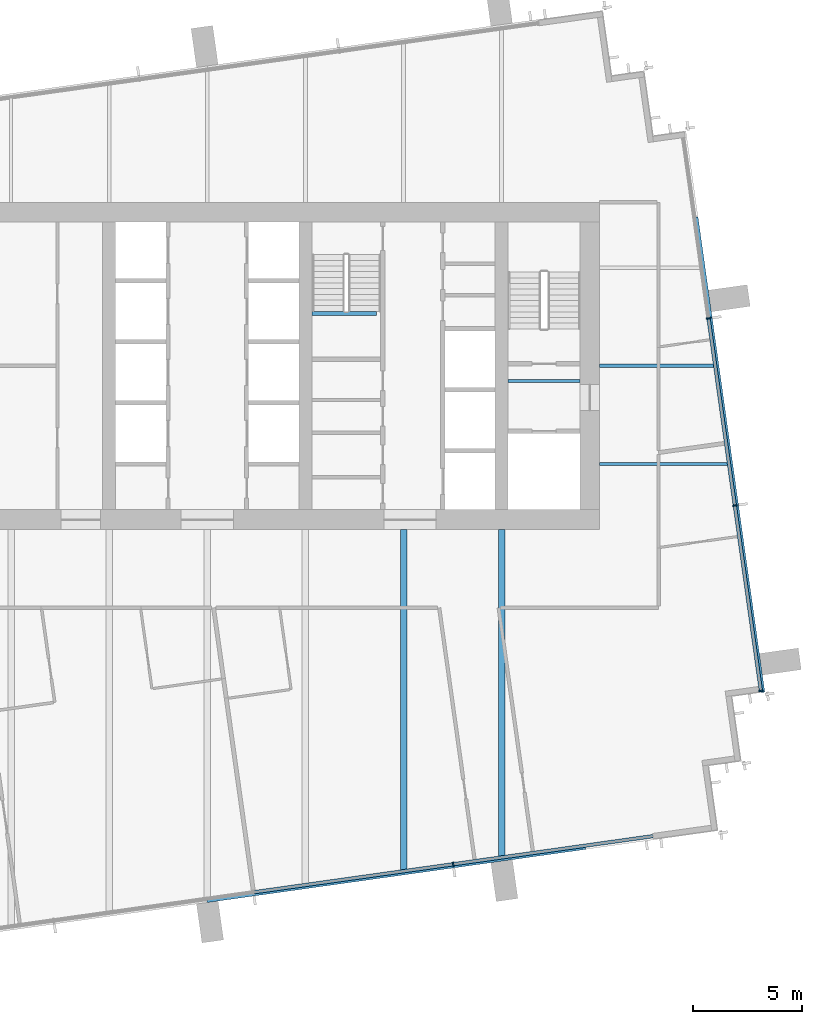
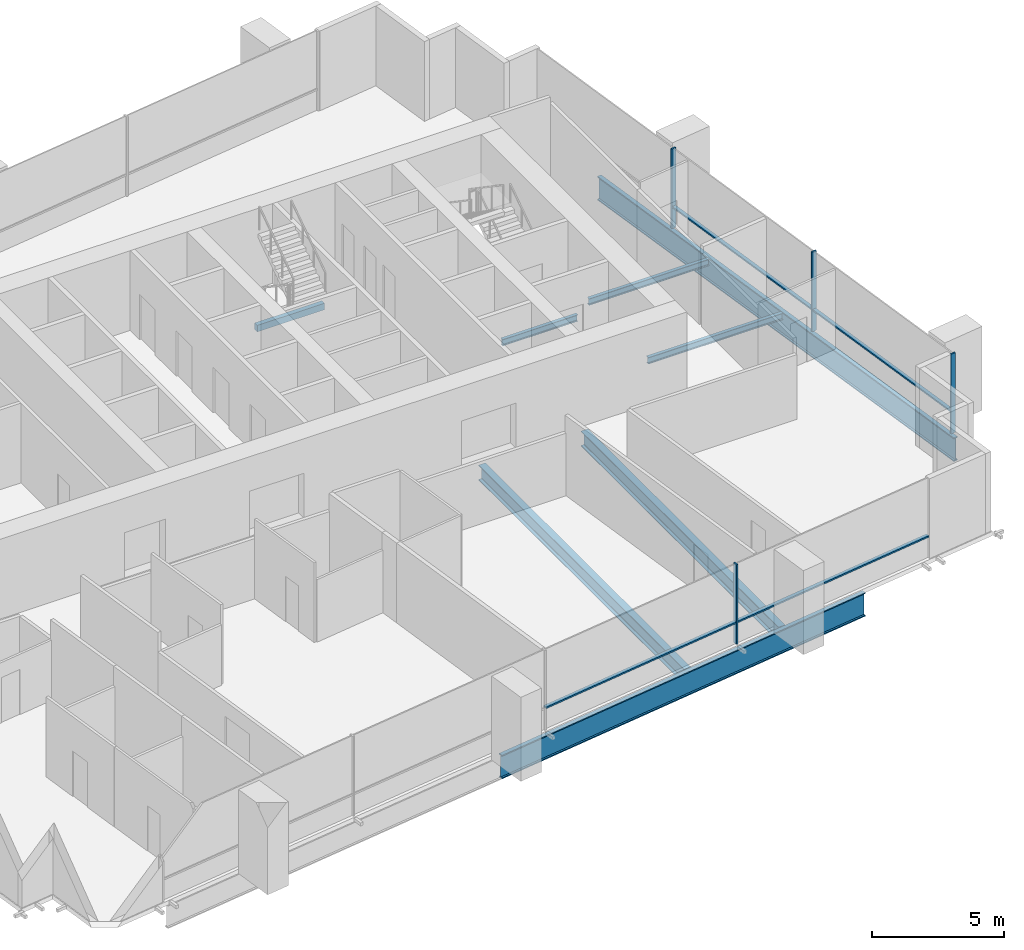
# One storey, part 4 of 12: 8 beams, 8 members, 2 elements without a shape of their own.
"""IFC4 building model written with IfcOpenShell, lengths in metres."""

from ifc_helpers import new_model, si_unit, direction, frame, origin, origin_2d, place, context, subcontext, project, spatial, rectangle, i_section, extrude, material, layer, layer_set, material_profile, profile_set, type_object, element, aggregate, save


model = new_model("IFC4")

# Units and contexts
model_context = context("Model", 3, precision=1e-05, world=origin(), true_north=direction((0.0, 1.0)))
body_context = subcontext(model_context, "Body", "Model", "MODEL_VIEW")
ifc_project = project(units=[si_unit("LENGTHUNIT", "METRE"), si_unit("AREAUNIT", "SQUARE_METRE"), si_unit("VOLUMEUNIT", "CUBIC_METRE"), si_unit("PLANEANGLEUNIT", "RADIAN"), si_unit("MASSUNIT", "GRAM", prefix="KILO")], contexts=[model_context])

# Site, building, storey
site_placement = place(None, origin())
site = spatial("IfcSite", under=ifc_project, at=site_placement, CompositionType="ELEMENT")
building_placement = place(site_placement, origin())
building = spatial("IfcBuilding", under=site, at=building_placement, Name="Rattan Terrace Tower", CompositionType="ELEMENT")
storey_placement = place(building_placement, frame((0.0, 0.0, 270.699951171875)))
storey = spatial("IfcBuildingStorey", under=building, at=storey_placement, Name="L62", CompositionType="ELEMENT", Elevation=270.699951171875)

# Beams
ifc_material_1 = material(Name="Concrete C40/50", Category="concrete")
ifc_material_profile_1 = material_profile(ifc_material_1, rectangle(XDim=0.199951171875, YDim=0.300048828125, at=origin_2d()), Name="RC 200x300")
ifc_profile_set_1 = profile_set([ifc_material_profile_1], Name="Concrete C40/50")
beam_type_1 = type_object("IfcBeamType", Name="Core landing beam RC 200x300", PredefinedType="BEAM", material=ifc_profile_set_1)
beam_1_placement = place(storey_placement, frame((4.800048828125, 2.39990234375, 1.60009765625), z_axis=(1.0, 0.0, 0.0), x_axis=(0.0, 1.0, 0.0)))
element("IfcBeam", 1, at=beam_1_placement, inside=storey, type_object=beam_type_1, Name="st-S3-L62 landing 1 edge beam", PredefinedType="BEAM", context=body_context, shape_type="SweptSolid", body=[
    extrude(rectangle(XDim=0.199951171875, YDim=0.300048828125, at=origin_2d()), origin(), (0.0, 0.0, 1.0), 2.949951171875),
])
ifc_material_2 = material(Name="Steel S460", Category="steel")
ifc_material_profile_2 = material_profile(ifc_material_2, i_section(OverallWidth=0.179931640625, OverallDepth=1.10009765625, WebThickness=0.01611328125, FlangeThickness=0.050048828125, at=origin_2d()), Name="PG 1100x180-16-50")
ifc_profile_set_2 = profile_set([ifc_material_profile_2], Name="Steel S460")
beam_type_2 = type_object("IfcBeamType", Name="Frame edge girder PG 1100x180-16-50", PredefinedType="SPANDREL", material=ifc_profile_set_2)
beam_2_placement = place(storey_placement, frame((17.347900390625, -22.087890625, -0.75), z_axis=(-0.990265878298, -0.139188685889, 0.0), x_axis=(0.139188685889, -0.990265878298, 0.0)))
element("IfcBeam", 2, at=beam_2_placement, inside=storey, type_object=beam_type_2, Name="gdr-L62-002", PredefinedType="SPANDREL", context=body_context, shape_type="SweptSolid", body=[
    extrude(i_section(OverallWidth=0.179931640625, OverallDepth=1.10009765625, WebThickness=0.01611328125, FlangeThickness=0.050048828125, at=origin_2d()), origin(), (0.0, 0.0, 1.0), 17.531494140625),
])
beam_3_placement = place(storey_placement, frame((22.4189453125, 6.822998046875, -0.75), z_axis=(0.139180574959, -0.990267018311, 0.0), x_axis=(0.990267018311, 0.139180574959, 0.0)))
element("IfcBeam", 3, at=beam_3_placement, inside=storey, type_object=beam_type_2, Name="gdr-L62-004", PredefinedType="SPANDREL", context=body_context, shape_type="SweptSolid", body=[
    extrude(i_section(OverallWidth=0.179931640625, OverallDepth=1.10009765625, WebThickness=0.01611328125, FlangeThickness=0.050048828125, at=origin_2d()), origin(), (0.0, 0.0, 1.0), 22.014404296875),
])
ifc_material_3 = material(Name="Steel S355", Category="steel")
ifc_material_profile_3 = material_profile(ifc_material_3, i_section(OverallWidth=0.300048828125, OverallDepth=0.699951171875, WebThickness=0.01708984375, FlangeThickness=0.031982421875, FilletRadius=0.027099609375, at=origin_2d()), Name="HE 700 B")
ifc_profile_set_3 = profile_set([ifc_material_profile_3], Name="Steel S355")
beam_type_3 = type_object("IfcBeamType", Name="Frame floor beam HE 700 B", PredefinedType="JOIST", material=ifc_profile_set_3)
beam_4_placement = place(storey_placement, frame((9.0, -23.14892578125, -0.550048828125), z_axis=(0.0, 1.0, 0.0), x_axis=(-1.0, 0.0, 0.0)))
element("IfcBeam", 4, at=beam_4_placement, inside=storey, type_object=beam_type_3, Name="bm-L62-008", PredefinedType="JOIST", context=body_context, shape_type="SweptSolid", body=[
    extrude(i_section(OverallWidth=0.300048828125, OverallDepth=0.699951171875, WebThickness=0.01708984375, FlangeThickness=0.031982421875, FilletRadius=0.027099609375, at=origin_2d()), origin(), (0.0, 0.0, 1.0), 15.64892578125),
])
beam_5_placement = place(storey_placement, frame((13.5, -22.51708984375, -0.550048828125), z_axis=(0.0, 1.0, 0.0), x_axis=(-1.0, 0.0, 0.0)))
element("IfcBeam", 5, at=beam_5_placement, inside=storey, type_object=beam_type_3, Name="bm-L62-009", PredefinedType="JOIST", context=body_context, shape_type="SweptSolid", body=[
    extrude(i_section(OverallWidth=0.300048828125, OverallDepth=0.699951171875, WebThickness=0.01708984375, FlangeThickness=0.031982421875, FilletRadius=0.027099609375, at=origin_2d()), origin(), (0.0, 0.0, 1.0), 15.01708984375),
])
ifc_material_4 = material(Name="Steel S355", Category="steel")
ifc_material_profile_4 = material_profile(ifc_material_4, i_section(OverallWidth=0.14990234375, OverallDepth=0.300048828125, WebThickness=0.007080078125, FlangeThickness=0.0107421875, FilletRadius=0.014892578125, at=origin_2d()), Name="IPE 300")
ifc_profile_set_4 = profile_set([ifc_material_profile_4], Name="Steel S355")
beam_type_4 = type_object("IfcBeamType", Name="Frame floor beam IPE 300", PredefinedType="JOIST", material=ifc_profile_set_4)
beam_6_placement = place(storey_placement, frame((13.800048828125, -0.695068359375, -0.349853515625), z_axis=(1.0, 0.0, 0.0), x_axis=(0.0, 1.0, 0.0)))
element("IfcBeam", 6, at=beam_6_placement, inside=storey, type_object=beam_type_4, Name="bm-L62-002", PredefinedType="JOIST", context=body_context, shape_type="SweptSolid", body=[
    extrude(i_section(OverallWidth=0.14990234375, OverallDepth=0.300048828125, WebThickness=0.007080078125, FlangeThickness=0.0107421875, FilletRadius=0.014892578125, at=origin_2d()), origin(), (0.0, 0.0, 1.0), 3.300048828125),
])
beam_7_placement = place(storey_placement, frame((18.0, -4.5, -0.349853515625), z_axis=(1.0, 0.0, 0.0), x_axis=(0.0, 1.0, 0.0)))
element("IfcBeam", 7, at=beam_7_placement, inside=storey, type_object=beam_type_4, Name="bm-L62-011", PredefinedType="JOIST", context=body_context, shape_type="SweptSolid", body=[
    extrude(i_section(OverallWidth=0.14990234375, OverallDepth=0.300048828125, WebThickness=0.007080078125, FlangeThickness=0.0107421875, FilletRadius=0.014892578125, at=origin_2d()), origin(), (0.0, 0.0, 1.0), 5.908935546875),
])
beam_8_placement = place(storey_placement, frame((18.0, 0.0, -0.349853515625), z_axis=(1.0, 0.0, 0.0), x_axis=(0.0, 1.0, 0.0)))
element("IfcBeam", 8, at=beam_8_placement, inside=storey, type_object=beam_type_4, Name="bm-L62-013", PredefinedType="JOIST", context=body_context, shape_type="SweptSolid", body=[
    extrude(i_section(OverallWidth=0.14990234375, OverallDepth=0.300048828125, WebThickness=0.007080078125, FlangeThickness=0.0107421875, FilletRadius=0.014892578125, at=origin_2d()), origin(), (0.0, 0.0, 1.0), 5.277099609375),
])

# Curtain wall, members
ifc_material_5 = material(Name="Aluminium and laminated glass", Category="aluminium")
ifc_layer = layer(ifc_material_5, 0.199951171875)
ifc_layer_set = layer_set([ifc_layer], Name="High-Zone Unitised Curtain Wall")
curtain_wall_type = type_object("IfcCurtainWallType", Name="High-Zone Unitised Curtain Wall", PredefinedType="NOTDEFINED", material=ifc_layer_set)
curtain_wall_1_placement = place(storey_placement, origin())
curtain_wall_1 = element("IfcCurtainWall", 9, at=curtain_wall_1_placement, inside=storey, type_object=curtain_wall_type, Name="High-zone curtain wall L62-1", PredefinedType="NOTDEFINED")
ifc_material_6 = material(Name="Aluminium", Category="aluminium")
ifc_material_profile_5 = material_profile(ifc_material_6, rectangle(XDim=0.070068359375, YDim=0.199951171875, at=origin_2d()), Name="Aluminium 70x200")
ifc_profile_set_5 = profile_set([ifc_material_profile_5], Name="Aluminium")
member_type_1 = type_object("IfcMemberType", Name="High-Zone CW Mullion 70x200", PredefinedType="MULLION", material=ifc_profile_set_5)
member_1_placement = place(storey_placement, frame((25.3916015625, -14.908447265625, 0.0), z_axis=(0.0, 0.0, 1.0), x_axis=(-0.139191775431, 0.990265444036, 0.0)))
member_1 = element("IfcMember", 10, at=member_1_placement, type_object=member_type_1, Name="Mullion cwl-L62-001.1", PredefinedType="MULLION", context=body_context, shape_type="SweptSolid", body=[
    extrude(rectangle(XDim=0.070068359375, YDim=0.199951171875, at=origin_2d()), origin(), (0.0, 0.0, 1.0), 3.699951171875),
])
member_2_placement = place(storey_placement, frame((24.1962890625, -6.405029296875, 0.0), z_axis=(0.0, 0.0, 1.0), x_axis=(-0.139191775431, 0.990265444036, 0.0)))
member_2 = element("IfcMember", 11, at=member_2_placement, type_object=member_type_1, Name="Mullion cwl-L62-001.2", PredefinedType="MULLION", context=body_context, shape_type="SweptSolid", body=[
    extrude(rectangle(XDim=0.070068359375, YDim=0.199951171875, at=origin_2d()), origin(), (0.0, 0.0, 1.0), 3.699951171875),
])
member_3_placement = place(storey_placement, frame((22.989990234375, 2.177490234375, 0.0), z_axis=(0.0, 0.0, 1.0), x_axis=(-0.139191775431, 0.990265444036, 0.0)))
member_3 = element("IfcMember", 12, at=member_3_placement, type_object=member_type_1, Name="Mullion cwl-L62-001.3", PredefinedType="MULLION", context=body_context, shape_type="SweptSolid", body=[
    extrude(rectangle(XDim=0.070068359375, YDim=0.199951171875, at=origin_2d()), origin(), (0.0, 0.0, 1.0), 3.699951171875),
])

# Curtain wall, member
curtain_wall_2_placement = place(storey_placement, origin())
curtain_wall_2 = element("IfcCurtainWall", 13, at=curtain_wall_2_placement, inside=storey, type_object=curtain_wall_type, Name="High-zone curtain wall L62-4", PredefinedType="NOTDEFINED")
member_4_placement = place(storey_placement, frame((11.27734375, -22.859619140625, 0.0), z_axis=(0.0, 0.0, 1.0), x_axis=(0.990265894013, 0.139188574079, 0.0)))
member_4 = element("IfcMember", 14, at=member_4_placement, type_object=member_type_1, Name="Mullion cwl-L62-004.4", PredefinedType="MULLION", context=body_context, shape_type="SweptSolid", body=[
    extrude(rectangle(XDim=0.070068359375, YDim=0.199951171875, at=origin_2d()), origin(), (0.0, 0.0, 1.0), 3.699951171875),
])

# Member
ifc_material_7 = material(Name="Aluminium", Category="aluminium")
ifc_material_profile_6 = material_profile(ifc_material_7, rectangle(XDim=0.159912109375, YDim=0.070068359375, at=origin_2d()), Name="Aluminium 160x70")
ifc_profile_set_6 = profile_set([ifc_material_profile_6], Name="Aluminium")
member_type_2 = type_object("IfcMemberType", Name="High-Zone CW Transom 160x70", PredefinedType="USERDEFINED", material=ifc_profile_set_6)
member_5_placement = place(storey_placement, frame((25.38671875, -14.873779296875, 1.0), z_axis=(-0.139197734293, 0.99026460644, 0.0), x_axis=(-0.99026460644, -0.139197734293, 0.0)))
member_5 = element("IfcMember", 15, at=member_5_placement, type_object=member_type_2, Name="Transom cwl-L62-001.1", ObjectType="TRANSOM", PredefinedType="USERDEFINED", context=body_context, shape_type="SweptSolid", body=[
    extrude(rectangle(XDim=0.159912109375, YDim=0.070068359375, at=origin_2d()), origin(), (0.0, 0.0, 1.0), 8.51708984375),
])

member_6_placement = place(storey_placement, frame((24.19140625, -6.370361328125, 1.0), z_axis=(-0.139182599995, 0.990266733693, 0.0), x_axis=(-0.990266733693, -0.139182599995, 0.0)))
member_6 = element("IfcMember", 16, at=member_6_placement, type_object=member_type_2, Name="Transom cwl-L62-001.2", ObjectType="TRANSOM", PredefinedType="USERDEFINED", context=body_context, shape_type="SweptSolid", body=[
    extrude(rectangle(XDim=0.159912109375, YDim=0.070068359375, at=origin_2d()), origin(), (0.0, 0.0, 1.0), 8.596923828125),
])

aggregate(curtain_wall_1, [member_1, member_2, member_3, member_5, member_6])

member_7_placement = place(storey_placement, frame((2.15283203125, -24.14208984375, 1.0), z_axis=(0.990266662415, 0.139183107123, 0.0), x_axis=(-0.139183107123, 0.990266662415, 0.0)))
member_7 = element("IfcMember", 17, at=member_7_placement, type_object=member_type_2, Name="Transom cwl-L62-004.3", ObjectType="TRANSOM", PredefinedType="USERDEFINED", context=body_context, shape_type="SweptSolid", body=[
    extrude(rectangle(XDim=0.159912109375, YDim=0.070068359375, at=origin_2d()), origin(), (0.0, 0.0, 1.0), 9.17919921875),
])

member_8_placement = place(storey_placement, frame((11.31201171875, -22.854736328125, 1.0), z_axis=(0.990263767768, 0.139203700545, 0.0), x_axis=(-0.139203700545, 0.990263767768, 0.0)))
member_8 = element("IfcMember", 18, at=member_8_placement, type_object=member_type_2, Name="Transom cwl-L62-004.4", ObjectType="TRANSOM", PredefinedType="USERDEFINED", context=body_context, shape_type="SweptSolid", body=[
    extrude(rectangle(XDim=0.159912109375, YDim=0.070068359375, at=origin_2d()), origin(), (0.0, 0.0, 1.0), 9.21826171875),
])

aggregate(curtain_wall_2, [member_4, member_7, member_8])

save(model, "model.ifc")
